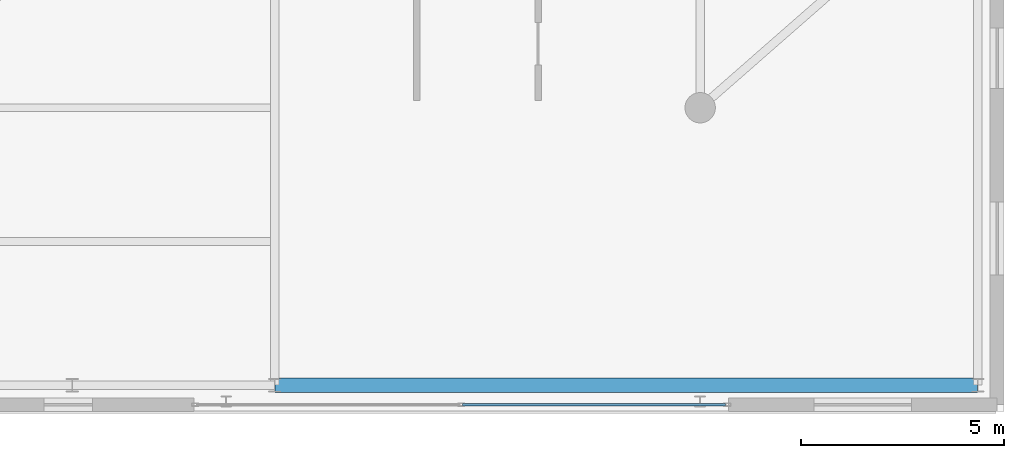
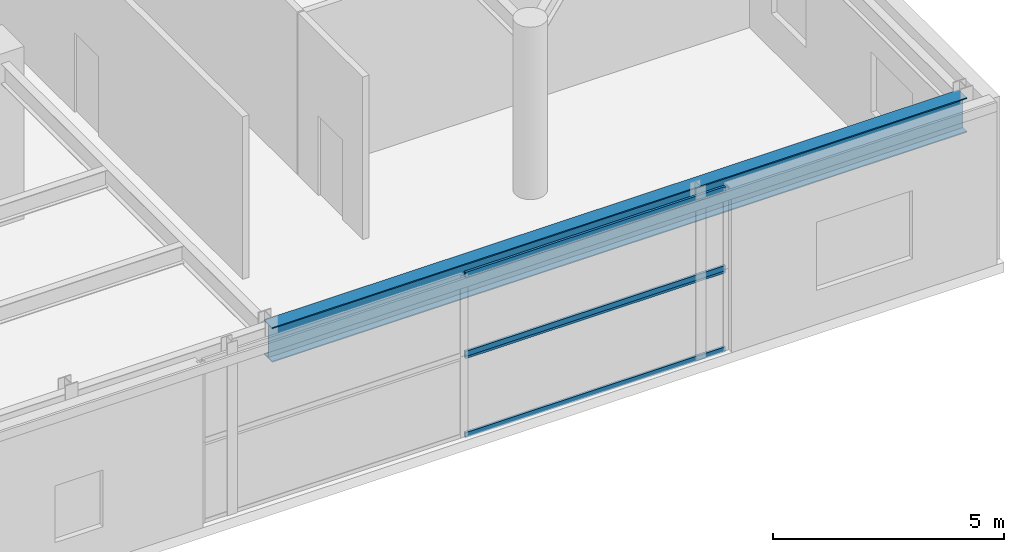
# One storey, part 17 of 26: 4 members, 1 beam, 2 elements without a shape of their own.
"""IFC4 building model written with IfcOpenShell, lengths in metres."""

from ifc_helpers import new_model, si_unit, direction, frame, origin, origin_2d, place, context, subcontext, project, spatial, hollow_rectangle, i_section, extrude, source, transform, mapped, material, layer, layer_set, material_profile, profile_set, type_object, element, aggregate, save


model = new_model("IFC4")

# Units and contexts
model_context = context("Model", 3, precision=1e-05, world=origin(), true_north=direction((0.0, 1.0)))
body_context = subcontext(model_context, "Body", "Model", "MODEL_VIEW")
ifc_project = project(units=[si_unit("LENGTHUNIT", "METRE"), si_unit("AREAUNIT", "SQUARE_METRE"), si_unit("VOLUMEUNIT", "CUBIC_METRE"), si_unit("PLANEANGLEUNIT", "RADIAN"), si_unit("MASSUNIT", "GRAM", prefix="KILO")], contexts=[model_context])

# Site, building, storey
site_placement = place(None, origin())
site = spatial("IfcSite", under=ifc_project, at=site_placement, CompositionType="ELEMENT")
building_placement = place(site_placement, origin())
building = spatial("IfcBuilding", under=site, at=building_placement, Name="Taldren Reach Tower", CompositionType="ELEMENT")
storey_placement = place(building_placement, frame((0.0, 0.0, 8.39990234375)))
storey = spatial("IfcBuildingStorey", under=building, at=storey_placement, Name="L02", CompositionType="ELEMENT", Elevation=8.39990234375)

# Beam
ifc_material_1 = material(Name="Steel Gr 350 (350PLUS)", Category="steel")
ifc_material_profile_1 = material_profile(ifc_material_1, i_section(OverallWidth=0.35009765625, OverallDepth=0.916015625, WebThickness=0.013916015625, FlangeThickness=0.028076171875, at=origin_2d()), Name="900WB257")
ifc_profile_set_1 = profile_set([ifc_material_profile_1], Name="Steel Gr 350 (350PLUS)")
beam_type = type_object("IfcBeamType", Name="BM-WB900", PredefinedType="BEAM", material=ifc_profile_set_1)
shared_shape_1 = source(origin(), body_context, "Body", "SweptSolid", [
    extrude(i_section(OverallWidth=0.35009765625, OverallDepth=0.916015625, WebThickness=0.013916015625, FlangeThickness=0.028076171875, at=origin_2d()), origin(), (0.0, 0.0, 1.0), 17.35009765625),
])
beam_placement = place(storey_placement, frame((52.0, 0.64990234375, 3.83203125), z_axis=(1.0, 0.0, 0.0), x_axis=(0.0, 1.0, 0.0)))
element("IfcBeam", 1, at=beam_placement, inside=storey, type_object=beam_type, Name="Podium girder L02-PD07", PredefinedType="BEAM", context=body_context, shape_type="MappedRepresentation", body=[
    mapped(shared_shape_1, transform((0.0, 0.0, 0.0), scale=1.0)),
])

# Curtain wall, members
ifc_material_2 = material(Name="Aluminium and Low-E Glass Unitised System", Category="aluminium")
ifc_layer = layer(ifc_material_2, 0.159912109375)
ifc_layer_set = layer_set([ifc_layer], Name="Aluminium and Low-E Glass Unitised System")
curtain_wall_type = type_object("IfcCurtainWallType", Name="CW-SYS-1", PredefinedType="NOTDEFINED", material=ifc_layer_set)
curtain_wall_1_placement = place(storey_placement, origin())
curtain_wall_1 = element("IfcCurtainWall", 2, at=curtain_wall_1_placement, inside=storey, type_object=curtain_wall_type, Name="Unitised curtain wall CW1-L02-S3", PredefinedType="NOTDEFINED")
ifc_material_3 = material(Name="Anodised Aluminium 6063-T6", Category="aluminium")
ifc_material_profile_2 = material_profile(ifc_material_3, hollow_rectangle(XDim=0.06005859375, YDim=0.135009765625, WallThickness=0.00341796875, at=origin_2d()), Name="ALU-135x60x3.5RHS")
ifc_profile_set_2 = profile_set([ifc_material_profile_2], Name="Anodised Aluminium 6063-T6")
member_type = type_object("IfcMemberType", Name="CW-TRN-150", PredefinedType="USERDEFINED", material=ifc_profile_set_2)
shared_shape_2 = source(origin(), body_context, "Body", "SweptSolid", [
    extrude(hollow_rectangle(XDim=0.06005859375, YDim=0.135009765625, WallThickness=0.00341796875, at=origin_2d()), origin(), (0.0, 0.0, 1.0), 6.494873046875),
])
member_1_placement = place(storey_placement, frame((56.635009765625, 0.169921875, 0.030029296875), z_axis=(1.0, 0.0, 0.0), x_axis=(0.0, 1.0, 0.0)))
member_1 = element("IfcMember", 3, at=member_1_placement, type_object=member_type, Name="CW-1 transom 2.1", ObjectType="TRANSOM", PredefinedType="USERDEFINED", context=body_context, shape_type="MappedRepresentation", body=[
    mapped(shared_shape_2, transform((0.0, 0.0, 0.0), scale=1.0)),
])
member_2_placement = place(storey_placement, frame((56.635009765625, 0.169921875, 2.114990234375), z_axis=(1.0, 0.0, 0.0), x_axis=(0.0, 1.0, 0.0)))
member_2 = element("IfcMember", 4, at=member_2_placement, type_object=member_type, Name="CW-1 transom 2.2", ObjectType="TRANSOM", PredefinedType="USERDEFINED", context=body_context, shape_type="MappedRepresentation", body=[
    mapped(shared_shape_2, transform((0.0, 0.0, 0.0), scale=1.0)),
])
aggregate(curtain_wall_1, [member_1, member_2])

curtain_wall_2_placement = place(storey_placement, origin())
curtain_wall_2 = element("IfcCurtainWall", 5, at=curtain_wall_2_placement, inside=storey, type_object=curtain_wall_type, Name="Unitised curtain wall CW1-L02-S3-T2", PredefinedType="NOTDEFINED")
member_3_placement = place(storey_placement, frame((56.635009765625, 0.169921875, 2.175048828125), z_axis=(1.0, 0.0, 0.0), x_axis=(0.0, 1.0, 0.0)))
member_3 = element("IfcMember", 6, at=member_3_placement, type_object=member_type, Name="CW-1 transom 2.1", ObjectType="TRANSOM", PredefinedType="USERDEFINED", context=body_context, shape_type="MappedRepresentation", body=[
    mapped(shared_shape_2, transform((0.0, 0.0, 0.0), scale=1.0)),
])
member_4_placement = place(storey_placement, frame((56.635009765625, 0.169921875, 4.260009765625), z_axis=(1.0, 0.0, 0.0), x_axis=(0.0, 1.0, 0.0)))
member_4 = element("IfcMember", 7, at=member_4_placement, type_object=member_type, Name="CW-1 transom 2.2", ObjectType="TRANSOM", PredefinedType="USERDEFINED", context=body_context, shape_type="MappedRepresentation", body=[
    mapped(shared_shape_2, transform((0.0, 0.0, 0.0), scale=1.0)),
])
aggregate(curtain_wall_2, [member_3, member_4])

save(model, "model.ifc")
